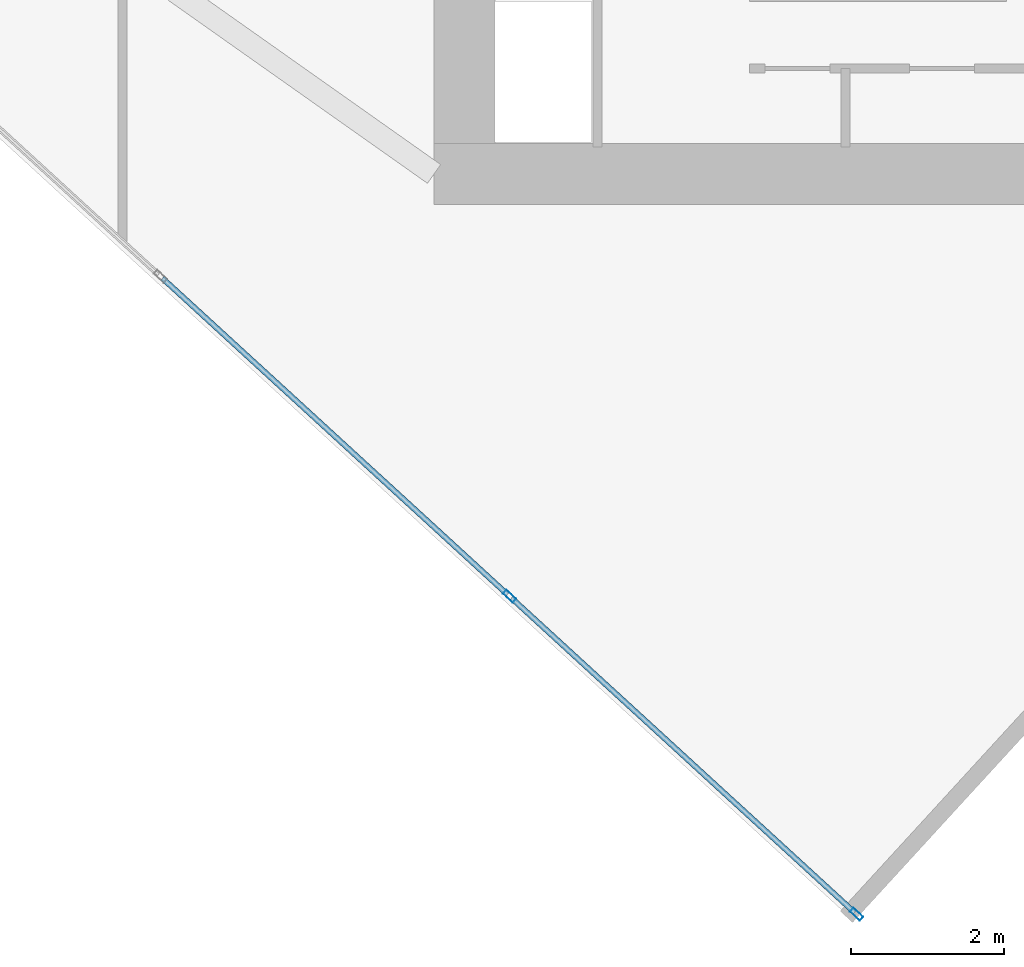
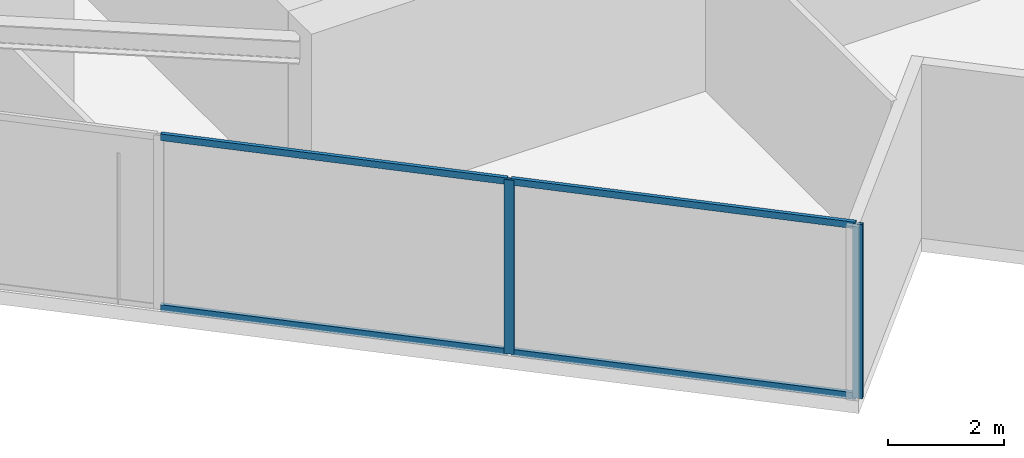
# One storey, part 3 of 26: 6 members, 1 element without a shape of its own.
"""IFC4 building model written with IfcOpenShell, lengths in metres."""

from ifc_helpers import new_model, si_unit, direction, frame, origin, origin_2d, place, context, subcontext, project, spatial, hollow_rectangle, extrude, source, transform, mapped, material, material_profile, profile_set, type_object, type_shapes, element, aggregate, save


model = new_model("IFC4")

# Units and contexts
model_context = context("Model", 3, precision=1e-05, world=origin(), true_north=direction((0.0, 1.0)))
body_context = subcontext(model_context, "Body", "Model", "MODEL_VIEW")
ifc_project = project(units=[si_unit("LENGTHUNIT", "METRE"), si_unit("AREAUNIT", "SQUARE_METRE"), si_unit("VOLUMEUNIT", "CUBIC_METRE"), si_unit("PLANEANGLEUNIT", "RADIAN"), si_unit("MASSUNIT", "GRAM", prefix="KILO")], contexts=[model_context])

# Site, building, storey
site_placement = place(None, origin())
site = spatial("IfcSite", under=ifc_project, at=site_placement, CompositionType="ELEMENT")
building_placement = place(site_placement, origin())
building = spatial("IfcBuilding", under=site, at=building_placement, Name="Krantzveldt Concourse Tower", CompositionType="ELEMENT")
storey_placement = place(building_placement, frame((0.0, 0.0, 219.14990234375)))
storey = spatial("IfcBuildingStorey", under=building, at=storey_placement, Name="L53", CompositionType="ELEMENT", Elevation=219.14990234375)

# Curtain wall, members
ifc_material = material(Name="Anodised aluminium 6063-T6", Category="aluminium")
curtain_wall_type = type_object("IfcCurtainWallType", Name="CW3", PredefinedType="USERDEFINED", material=ifc_material)
curtain_wall_placement = place(storey_placement, origin())
curtain_wall = element("IfcCurtainWall", 1, at=curtain_wall_placement, inside=storey, type_object=curtain_wall_type, Name="CW-L53-F04", ObjectType="UNITISED CURTAIN WALL", PredefinedType="USERDEFINED")
ifc_material_profile_1 = material_profile(ifc_material, hollow_rectangle(XDim=0.070068359375, YDim=0.179931640625, WallThickness=0.0048828125, at=origin_2d()), Name="Anodised aluminium 6063-T6", Category="aluminium")
ifc_profile_set_1 = profile_set([ifc_material_profile_1], Name="Anodised aluminium 6063-T6 - ALU-MULL 180x70x5")
member_type_1 = type_object("IfcMemberType", Name="CW-MUL-180", PredefinedType="MULLION", material=ifc_profile_set_1)
shared_shape_1 = source(origin(), body_context, "Body", "SweptSolid", [
    extrude(hollow_rectangle(XDim=0.070068359375, YDim=0.179931640625, WallThickness=0.0048828125, at=origin_2d()), origin(), (0.0, 0.0, 1.0), 3.670166015625),
])
type_shapes(member_type_1, [shared_shape_1])
member_1_placement = place(storey_placement, frame((29.06787109375, 5.369140625, 0.0), z_axis=(0.0, 0.0, 1.0), x_axis=(0.675590053651, 0.737277477893, 0.0)))
member_1 = element("IfcMember", 2, at=member_1_placement, type_object=member_type_1, Name="CW-Z34 mullion 5", PredefinedType="MULLION", context=body_context, shape_type="MappedRepresentation", body=[
    mapped(shared_shape_1, transform((0.0, 0.0, 0.0), x_axis=(1.0, 0.0, 0.0), y_axis=(0.0, 1.0, 0.0), z_axis=(0.0, 0.0, 1.0), scale=1.0)),
])
member_2_placement = place(storey_placement, frame((33.61328125, 1.2041015625, 0.0), z_axis=(0.0, 0.0, 1.0), x_axis=(0.675590053651, 0.737277477893, 0.0)))
member_2 = element("IfcMember", 3, at=member_2_placement, type_object=member_type_1, Name="CW-Z34 mullion 6", PredefinedType="MULLION", context=body_context, shape_type="MappedRepresentation", body=[
    mapped(shared_shape_1, transform((0.0, 0.0, 0.0), x_axis=(1.0, 0.0, 0.0), y_axis=(0.0, 1.0, 0.0), z_axis=(0.0, 0.0, 1.0), scale=1.0)),
])
ifc_material_profile_2 = material_profile(ifc_material, hollow_rectangle(XDim=0.070068359375, YDim=0.139892578125, WallThickness=0.0048828125, at=origin_2d()), Name="Anodised aluminium 6063-T6", Category="aluminium")
ifc_profile_set_2 = profile_set([ifc_material_profile_2], Name="Anodised aluminium 6063-T6 - ALU-TRAN 140x70x5")
member_type_2 = type_object("IfcMemberType", Name="CW-TRN-150", PredefinedType="USERDEFINED", material=ifc_profile_set_2)
shared_shape_2 = source(origin(), body_context, "Body", "SweptSolid", [
    extrude(hollow_rectangle(XDim=0.070068359375, YDim=0.139892578125, WallThickness=0.0048828125, at=origin_2d()), origin(), (0.0, 0.0, 1.0), 6.094970703125),
])
member_3_placement = place(storey_placement, frame((29.09375, 5.345458984375, 0.03515625), z_axis=(0.737277168993, -0.675590390755, 0.0), x_axis=(0.675590390755, 0.737277168993, 0.0)))
member_3 = element("IfcMember", 4, at=member_3_placement, type_object=member_type_2, Name="CW-Z34 transom 5.1", ObjectType="TRANSOM", PredefinedType="USERDEFINED", context=body_context, shape_type="MappedRepresentation", body=[
    mapped(shared_shape_2, transform((0.0, 0.0, 0.0), x_axis=(1.0, 0.0, 0.0), y_axis=(0.0, 1.0, 0.0), z_axis=(0.0, 0.0, 1.0), scale=1.0)),
])
member_4_placement = place(storey_placement, frame((29.09375, 5.345458984375, 3.635009765625), z_axis=(0.737277168993, -0.675590390755, 0.0), x_axis=(0.675590390755, 0.737277168993, 0.0)))
member_4 = element("IfcMember", 5, at=member_4_placement, type_object=member_type_2, Name="CW-Z34 transom 5.2", ObjectType="TRANSOM", PredefinedType="USERDEFINED", context=body_context, shape_type="MappedRepresentation", body=[
    mapped(shared_shape_2, transform((0.0, 0.0, 0.0), x_axis=(1.0, 0.0, 0.0), y_axis=(0.0, 1.0, 0.0), z_axis=(0.0, 0.0, 1.0), scale=1.0)),
])
shared_shape_3 = source(origin(), body_context, "Body", "SweptSolid", [
    extrude(hollow_rectangle(XDim=0.070068359375, YDim=0.139892578125, WallThickness=0.0048828125, at=origin_2d()), origin(), (0.0, 0.0, 1.0), 6.130126953125),
])
type_shapes(member_type_2, [shared_shape_2, shared_shape_3])
member_5_placement = place(storey_placement, frame((24.5224609375, 9.5341796875, 0.03515625), z_axis=(0.737279770771, -0.675587551404, 0.0), x_axis=(0.675587551404, 0.737279770771, 0.0)))
member_5 = element("IfcMember", 6, at=member_5_placement, type_object=member_type_2, Name="CW-Z34 transom 4.1", ObjectType="TRANSOM", PredefinedType="USERDEFINED", context=body_context, shape_type="MappedRepresentation", body=[
    mapped(shared_shape_3, transform((0.0, 0.0, 0.0), x_axis=(1.0, 0.0, 0.0), y_axis=(0.0, 1.0, 0.0), z_axis=(0.0, 0.0, 1.0), scale=1.0)),
])
member_6_placement = place(storey_placement, frame((24.5224609375, 9.5341796875, 3.635009765625), z_axis=(0.737279770771, -0.675587551404, 0.0), x_axis=(0.675587551404, 0.737279770771, 0.0)))
member_6 = element("IfcMember", 7, at=member_6_placement, type_object=member_type_2, Name="CW-Z34 transom 4.2", ObjectType="TRANSOM", PredefinedType="USERDEFINED", context=body_context, shape_type="MappedRepresentation", body=[
    mapped(shared_shape_3, transform((0.0, 0.0, 0.0), x_axis=(1.0, 0.0, 0.0), y_axis=(0.0, 1.0, 0.0), z_axis=(0.0, 0.0, 1.0), scale=1.0)),
])
aggregate(curtain_wall, [member_1, member_2, member_5, member_6, member_3, member_4])

save(model, "model.ifc")
